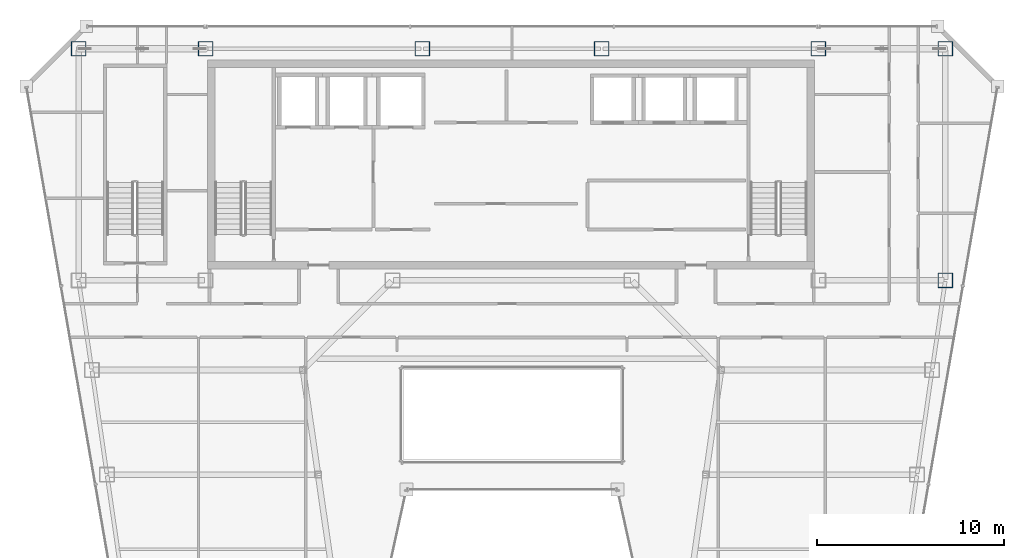
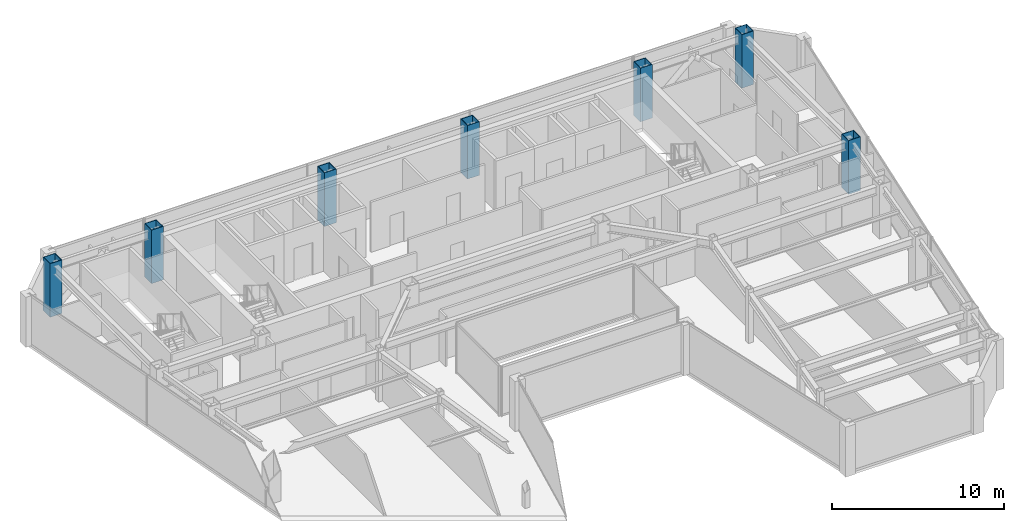
# One storey, part 2 of 32: 7 columns.
"""IFC4 building model written with IfcOpenShell, lengths in metres."""

from ifc_helpers import new_model, si_unit, direction, frame, origin, origin_2d, place, context, subcontext, project, spatial, hollow_rectangle, extrude, material, material_profile, profile_set, type_object, element, save


model = new_model("IFC4")

# Units and contexts
model_context = context("Model", 3, precision=1e-05, world=origin(), true_north=direction((0.0, 1.0)))
body_context = subcontext(model_context, "Body", "Model", "MODEL_VIEW")
ifc_project = project(units=[si_unit("LENGTHUNIT", "METRE"), si_unit("AREAUNIT", "SQUARE_METRE"), si_unit("VOLUMEUNIT", "CUBIC_METRE"), si_unit("PLANEANGLEUNIT", "RADIAN"), si_unit("MASSUNIT", "GRAM", prefix="KILO")], contexts=[model_context])

# Site, building, storey
site_placement = place(None, origin())
site = spatial("IfcSite", under=ifc_project, at=site_placement, CompositionType="ELEMENT")
building_placement = place(site_placement, origin())
building = spatial("IfcBuilding", under=site, at=building_placement, Name="Saevonmaru Cultural Tower", CompositionType="ELEMENT")
storey_placement = place(building_placement, frame((0.0, 0.0, 242.0)))
storey = spatial("IfcBuildingStorey", under=building, at=storey_placement, Name="L56", CompositionType="ELEMENT", Elevation=242.0)

# Columns
ifc_material = material(Name="Steel SM420", Category="steel")
ifc_material_profile = material_profile(ifc_material, hollow_rectangle(XDim=0.800048828125, YDim=0.800048828125, WallThickness=0.035888671875, at=origin_2d()), Name="BOX-800x800x36")
ifc_profile_set = profile_set([ifc_material_profile], Name="Steel SM420")
column_type = type_object("IfcColumnType", Name="COL-BOX-800", PredefinedType="COLUMN", material=ifc_profile_set)
for number, where, z_axis, x_axis, name in (
    (1, (6.800048828125, 54.800048828125, 0.0), (0.0, 0.0, 1.0), (1.0, 0.0, 0.0), "L56 Column TC-N1N"),
    (2, (13.60009765625, 54.800048828125, 0.0), (0.0, 0.0, 1.0), (1.0, 0.0, 0.0), "L56 Column TC-N2N"),
    (3, (25.199951171875, 54.800048828125, 0.0), (0.0, 0.0, 1.0), (1.0, 0.0, 0.0), "L56 Column TC-N3N"),
    (4, (34.800048828125, 54.800048828125, 0.0), (0.0, 0.0, 1.0), (1.0, 0.0, 0.0), "L56 Column TC-N4N"),
    (5, (46.39990234375, 54.800048828125, 0.0), (0.0, 0.0, 1.0), (1.0, 0.0, 0.0), "L56 Column TC-N5N"),
    (6, (53.199951171875, 54.800048828125, 0.0), (0.0, 0.0, 1.0), (1.0, 0.0, 0.0), "L56 Column TC-N6N"),
    (7, (53.199951171875, 42.39990234375, 0.0), (0.0, 0.0, 1.0), (1.0, 0.0, 0.0), "L56 Column TC-S6C"),
):
    element("IfcColumn", number, at=place(storey_placement, frame(where, z_axis=z_axis, x_axis=x_axis)), inside=storey, type_object=column_type, Name=name, PredefinedType="COLUMN", context=body_context, shape_type="SweptSolid", body=[
        extrude(hollow_rectangle(XDim=0.800048828125, YDim=0.800048828125, WallThickness=0.035888671875, at=origin_2d()), origin(), (0.0, 0.0, 1.0), 3.800048828125),
    ])

save(model, "model.ifc")
